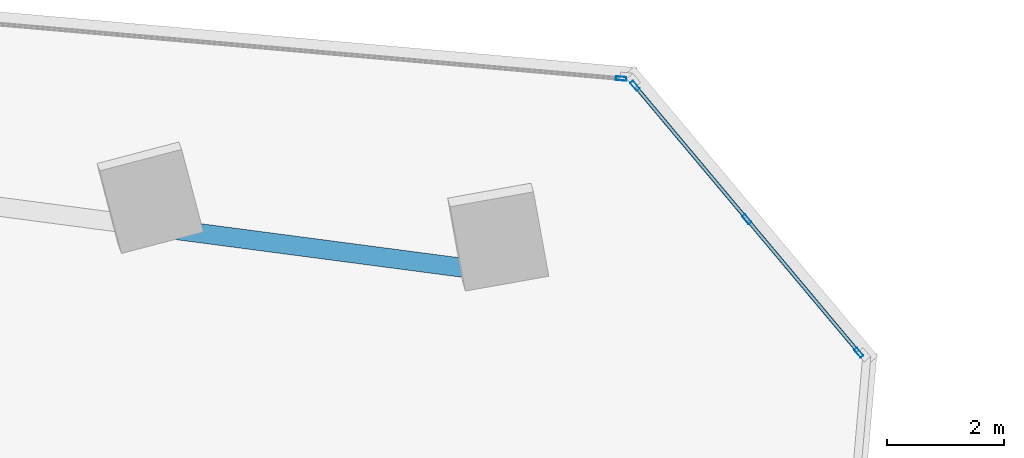
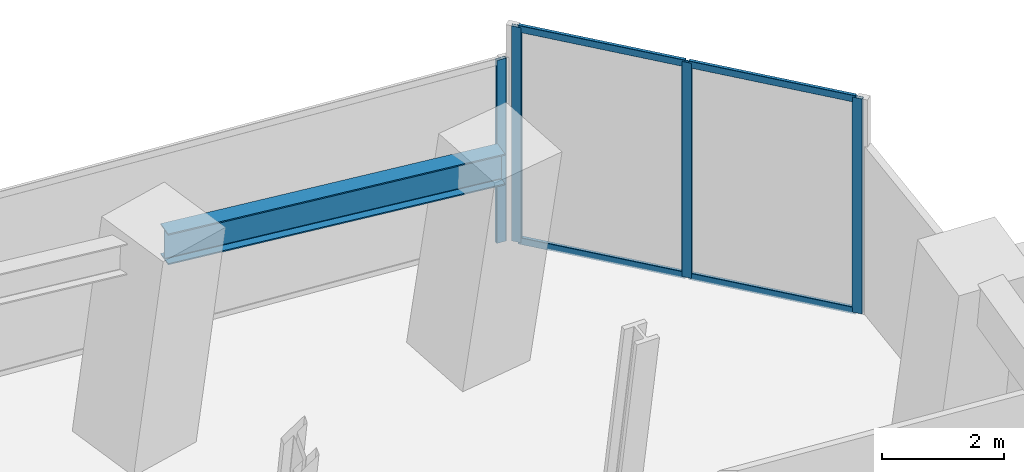
# One storey, part 13 of 23: 8 members, 1 beam, 2 elements without a shape of their own.
"""IFC4 building model written with IfcOpenShell, lengths in metres."""

import ifcopenshell
import ifcopenshell.guid

model = None  # the IFC model being written
_history = None  # IfcOwnerHistory: only IFC2X3 demands one
_inside = {}  # id of a spatial element -> (the spatial element, [elements in it])
_under = {}  # id of a project, library or spatial element -> (it, [spatial elements below it])
_declared = {}  # id of a project -> (the project, [libraries it declares])
_typed = {}  # id of a type object -> (the type object, [elements of that type])
_made_of = {}  # id of a material, layer set ... -> (it, [elements and type objects made of it])


def new_model(schema):
    """Start an empty IFC model of exactly this schema.

    Asked for "IFC4X3", IfcOpenShell would pick the latest addendum, in which some entities
    have other attributes; the version numbers below select the first issue.
    IFC2X3 requires an IfcOwnerHistory on every rooted entity: one is made here for all.
    """
    global model, _history
    if schema == "IFC4X3":
        model = ifcopenshell.file(schema_version=(4, 3, 0, 0))
    else:
        model = ifcopenshell.file(schema=schema)
    _inside.clear()
    _under.clear()
    _declared.clear()
    _typed.clear()
    _made_of.clear()
    _history = None
    if model.schema == "IFC2X3":
        org = make("IfcOrganization", Name="unknown")
        user = make(
            "IfcPersonAndOrganization",
            ThePerson=make("IfcPerson", FamilyName="unknown"),
            TheOrganization=org,
        )
        app = make(
            "IfcApplication",
            ApplicationDeveloper=org,
            Version="unknown",
            ApplicationFullName="unknown",
            ApplicationIdentifier="unknown",
        )
        _history = make(
            "IfcOwnerHistory",
            OwningUser=user,
            OwningApplication=app,
            ChangeAction="ADDED",
            CreationDate=0,
        )
    return model


def make(cls, **values):
    """One entity of the class cls with the attributes given. An attribute that is None is left unset."""
    return model.create_entity(
        cls, **{name: value for name, value in values.items() if value is not None}
    )


def rooted(cls, **values):
    """An entity with a GlobalId (a new one), such as an element, a storey or a relation."""
    return make(cls, GlobalId=ifcopenshell.guid.new(), OwnerHistory=_history, **values)


def si_unit(unit_type, name, prefix=None):
    """IfcSIUnit, for example si_unit("LENGTHUNIT", "METRE", prefix="MILLI")."""
    return make("IfcSIUnit", UnitType=unit_type, Prefix=prefix, Name=name)


def assignment(units):
    """IfcUnitAssignment: the units of a project."""
    return None if units is None else make("IfcUnitAssignment", Units=units)


def point(xyz):
    """IfcCartesianPoint."""
    return None if xyz is None else make("IfcCartesianPoint", Coordinates=xyz)


def direction(xyz):
    """IfcDirection."""
    return None if xyz is None else make("IfcDirection", DirectionRatios=xyz)


def frame(location, z_axis=None, x_axis=None):
    """IfcAxis2Placement3D, a coordinate frame: its origin and axes. An axis left out is left unset."""
    return make(
        "IfcAxis2Placement3D",
        Location=point(location),
        Axis=direction(z_axis),
        RefDirection=direction(x_axis),
    )


def frame_2d(location, x_axis=None):
    """IfcAxis2Placement2D, a coordinate frame in the plane: its origin and x axis."""
    return make(
        "IfcAxis2Placement2D", Location=point(location), RefDirection=direction(x_axis)
    )


def origin():
    """The frame at (0, 0, 0) with its axes left unset."""
    return frame((0.0, 0.0, 0.0))


def origin_2d():
    """The frame at (0, 0) in the plane with its x axis left unset."""
    return frame_2d((0.0, 0.0))


def place(relative_to, where):
    """IfcLocalPlacement: puts the frame where relative to a parent placement (None: the world)."""
    return make(
        "IfcLocalPlacement", PlacementRelTo=relative_to, RelativePlacement=where
    )


def context(
    kind, dimensions, precision=None, world=None, true_north=None, identifier=None
):
    """IfcGeometricRepresentationContext, for example the 3D "Model" context."""
    return make(
        "IfcGeometricRepresentationContext",
        ContextIdentifier=identifier,
        ContextType=kind,
        CoordinateSpaceDimension=dimensions,
        Precision=precision,
        WorldCoordinateSystem=world,
        TrueNorth=true_north,
    )


def subcontext(parent, identifier, kind, view, scale=None):
    """IfcGeometricRepresentationSubContext, for example "Body" below "Model"."""
    return make(
        "IfcGeometricRepresentationSubContext",
        ContextIdentifier=identifier,
        ContextType=kind,
        ParentContext=parent,
        TargetScale=scale,
        TargetView=view,
    )


def project(units=None, contexts=None):
    """IfcProject with its units and contexts."""
    return rooted(
        "IfcProject",
        Name="project",
        RepresentationContexts=contexts,
        UnitsInContext=assignment(units),
    )


def spatial(cls, under=None, at=None, **own):
    """A site, building, storey or space (cls), placed at a placement, below another one or the project."""
    s = rooted(cls, ObjectPlacement=at, **own)
    if under is not None:
        _under.setdefault(under.id(), (under, []))[1].append(s)
    return s


def profile(cls, at=None, kind="AREA", **sizes):
    """A parametric profile (cls). Its sizes go by their IFC names, for example OverallWidth=200.0."""
    return make(cls, ProfileType=kind, Position=at, **sizes)


def hollow_rectangle(**sizes):
    """IfcRectangleHollowProfileDef."""
    return profile("IfcRectangleHollowProfileDef", **sizes)


def i_section(**sizes):
    """IfcIShapeProfileDef."""
    return profile("IfcIShapeProfileDef", **sizes)


def extrude(swept, where, along, depth):
    """IfcExtrudedAreaSolid: the profile swept, set in the frame where, extruded along a direction by depth."""
    return make(
        "IfcExtrudedAreaSolid",
        SweptArea=swept,
        Position=where,
        ExtrudedDirection=direction(along),
        Depth=depth,
    )


def shape(context_of_items, identifier, shape_type, items):
    """IfcShapeRepresentation: the items that make up one representation, for example the "Body"."""
    return make(
        "IfcShapeRepresentation",
        ContextOfItems=context_of_items,
        RepresentationIdentifier=identifier,
        RepresentationType=shape_type,
        Items=items,
    )


def source(mapping_origin, context_of_items, identifier, shape_type, items):
    """IfcRepresentationMap: a shape defined once, which mapped items show again and again."""
    return make(
        "IfcRepresentationMap",
        MappingOrigin=mapping_origin,
        MappedRepresentation=shape(context_of_items, identifier, shape_type, items),
    )


def transform(
    local_origin,
    x_axis=None,
    y_axis=None,
    z_axis=None,
    scale=None,
    scale2=None,
    scale3=None,
    uniform=True,
):
    """IfcCartesianTransformationOperator3D, or its non-uniform kind. x_axis, y_axis, z_axis: its Axis1, 2, 3."""
    if uniform:
        return make(
            "IfcCartesianTransformationOperator3D",
            Axis1=direction(x_axis),
            Axis2=direction(y_axis),
            LocalOrigin=point(local_origin),
            Scale=scale,
            Axis3=direction(z_axis),
        )
    return make(
        "IfcCartesianTransformationOperator3DnonUniform",
        Axis1=direction(x_axis),
        Axis2=direction(y_axis),
        LocalOrigin=point(local_origin),
        Scale=scale,
        Axis3=direction(z_axis),
        Scale2=scale2,
        Scale3=scale3,
    )


def mapped(mapping_source, mapping_target):
    """IfcMappedItem: shows the shape of a source again, moved by a transform."""
    return make(
        "IfcMappedItem", MappingSource=mapping_source, MappingTarget=mapping_target
    )


def material(Name=None, Category=None):
    """IfcMaterial."""
    return make("IfcMaterial", Name=Name, Category=Category)


def material_profile(
    of_material, cross_section, Name=None, Category=None, Priority=None
):
    """IfcMaterialProfile: a cross section and its material."""
    return make(
        "IfcMaterialProfile",
        Name=Name,
        Material=of_material,
        Profile=cross_section,
        Priority=Priority,
        Category=Category,
    )


def profile_set(profiles, Name=None, composite=None):
    """IfcMaterialProfileSet."""
    return make(
        "IfcMaterialProfileSet",
        Name=Name,
        MaterialProfiles=profiles,
        CompositeProfile=composite,
    )


def made_of(thing, what):
    """Note that an element or type object is made of a material, layer set ...; save() writes the relation."""
    if what is not None:
        _made_of.setdefault(what.id(), (what, []))[1].append(thing)
    return thing


def type_object(cls, material=None, **own):
    """A type object (cls), such as IfcWallType, which elements share."""
    return made_of(rooted(cls, **own), material)


def element(
    cls,
    number,
    at=None,
    inside=None,
    cuts=None,
    type_object=None,
    material=None,
    context=None,
    identifier="Body",
    shape_type=None,
    held_by="IfcProductDefinitionShape",
    body=None,
    shapes=None,
    **own,
):
    """One element of the class cls, such as IfcWall. Its Tag is "e" and its number.

    at: its placement. inside: the storey or other place that contains it. cuts: it is an
    opening in that element (IfcRelVoidsElement). A single representation is given by context,
    identifier, shape_type and body (its items); several are given by shapes. held_by: the class
    of the entity that holds the representations. save() writes the other relations.
    """
    e = rooted(cls, Tag="e%d" % number, ObjectPlacement=at, **own)
    if body is not None:
        shapes = [shape(context, identifier, shape_type, body)]
    if shapes is not None:
        e.Representation = make(held_by, Representations=shapes)
    if inside is not None:
        _inside.setdefault(inside.id(), (inside, []))[1].append(e)
    if cuts is not None:
        rooted(
            "IfcRelVoidsElement", RelatingBuildingElement=cuts, RelatedOpeningElement=e
        )
    if type_object is not None:
        _typed.setdefault(type_object.id(), (type_object, []))[1].append(e)
    return made_of(e, material)


def aggregate(whole, parts):
    """IfcRelAggregates: a whole, such as a stair, and the parts it consists of."""
    return rooted("IfcRelAggregates", RelatingObject=whole, RelatedObjects=parts)


def save(model, path):
    """Write the relations noted so far, then the file.

    IfcRelAggregates (storeys below a building ...), IfcRelContainedInSpatialStructure (elements
    in a storey), IfcRelDefinesByType, IfcRelAssociatesMaterial and IfcRelDeclares: one each for
    every whole, place, type object, material and project.
    """
    for whole, parts in _under.values():
        aggregate(whole, parts)
    for where, things in _inside.values():
        rooted(
            "IfcRelContainedInSpatialStructure",
            RelatedElements=things,
            RelatingStructure=where,
        )
    for kind, things in _typed.values():
        rooted("IfcRelDefinesByType", RelatedObjects=things, RelatingType=kind)
    for what, things in _made_of.values():
        rooted("IfcRelAssociatesMaterial", RelatedObjects=things, RelatingMaterial=what)
    for by, libraries in _declared.values():
        rooted("IfcRelDeclares", RelatingContext=by, RelatedDefinitions=libraries)
    model.write(path)


model = new_model("IFC4")

# Units and contexts
model_context = context("Model", 3, precision=1e-05, world=origin(), true_north=direction((0.0, 1.0)))
body_context = subcontext(model_context, "Body", "Model", "MODEL_VIEW")
ifc_project = project(units=[si_unit("LENGTHUNIT", "METRE"), si_unit("AREAUNIT", "SQUARE_METRE"), si_unit("VOLUMEUNIT", "CUBIC_METRE"), si_unit("PLANEANGLEUNIT", "RADIAN"), si_unit("MASSUNIT", "GRAM", prefix="KILO")], contexts=[model_context])

# Site, building, storey
site_placement = place(None, origin())
site = spatial("IfcSite", under=ifc_project, at=site_placement, CompositionType="ELEMENT")
building_placement = place(site_placement, origin())
building = spatial("IfcBuilding", under=site, at=building_placement, Name="Torre Montelarca", CompositionType="ELEMENT")
storey_placement = place(building_placement, frame((0.0, 0.0, 56.800048828125)))
storey = spatial("IfcBuildingStorey", under=building, at=storey_placement, Name="L12", CompositionType="ELEMENT", Elevation=56.800048828125)

# Beam
ifc_material_1 = material(Name="Steel ASTM A992 Grade 50", Category="steel")
ifc_material_profile_1 = material_profile(ifc_material_1, i_section(OverallWidth=0.326904296875, OverallDepth=0.6220703125, WebThickness=0.015380859375, FlangeThickness=0.0244140625, FilletRadius=0.014892578125, at=origin_2d()), Name="W610X195", Category="steel")
ifc_profile_set_1 = profile_set([ifc_material_profile_1], Name="Steel ASTM A992 Grade 50")
beam_type = type_object("IfcBeamType", Name="BM-G-W610H", PredefinedType="BEAM", material=ifc_profile_set_1)
shared_shape_1 = source(origin(), body_context, "Body", "SweptSolid", [
    extrude(i_section(OverallWidth=0.326904296875, OverallDepth=0.6220703125, WebThickness=0.015380859375, FlangeThickness=0.0244140625, FilletRadius=0.014892578125, at=origin_2d()), origin(), (0.0, 0.0, 1.0), 6.0),
])
beam_placement = place(storey_placement, frame((49.6005859375, 42.42138671875, 4.2490234375), z_axis=(0.991444043898, -0.130532401413, 0.0), x_axis=(0.130532401413, 0.991444043898, 0.0)))
element("IfcBeam", 1, at=beam_placement, inside=storey, type_object=beam_type, Name="L12 Grid Girder X 48.0-54.0 at Y=46.0", PredefinedType="BEAM", context=body_context, shape_type="MappedRepresentation", body=[
    mapped(shared_shape_1, transform((0.0, 0.0, 0.0), scale=1.0)),
])

# Curtain wall, members
ifc_material_2 = material(Name="Insulated low-E laminated glass", Category="glass")
curtain_wall_type = type_object("IfcCurtainWallType", Name="CW-SYS-Z1", PredefinedType="USERDEFINED", material=ifc_material_2)
curtain_wall_1_placement = place(storey_placement, origin())
curtain_wall_1 = element("IfcCurtainWall", 2, at=curtain_wall_1_placement, inside=storey, type_object=curtain_wall_type, Name="L12 Curtain Wall Run CW-T3-L12-E07-B1", ObjectType="UNITISED GLAZING", PredefinedType="USERDEFINED")
ifc_material_3 = material(Name="Anodised aluminium AA 6063-T6", Category="aluminium")
ifc_material_profile_2 = material_profile(ifc_material_3, hollow_rectangle(XDim=0.06494140625, YDim=0.179931640625, WallThickness=0.00390625, InnerFilletRadius=0.00390625, OuterFilletRadius=0.008056640625, at=origin_2d()), Name="ALU65X180X4", Category="aluminium")
ifc_profile_set_2 = profile_set([ifc_material_profile_2], Name="Anodised aluminium AA 6063-T6")
member_type_1 = type_object("IfcMemberType", Name="CWM-ALU180", PredefinedType="MULLION", material=ifc_profile_set_2)
shared_shape_2 = source(origin(), body_context, "Body", "SweptSolid", [
    extrude(hollow_rectangle(XDim=0.06494140625, YDim=0.179931640625, WallThickness=0.00390625, InnerFilletRadius=0.00390625, OuterFilletRadius=0.008056640625, at=origin_2d()), origin(), (0.0, 0.0, 1.0), 4.320068359375),
])
member_1_placement = place(storey_placement, frame((61.542724609375, 40.289794921875, 0.0), z_axis=(0.0, 0.0, 1.0), x_axis=(-0.766042761233, -0.642789614074, 0.0)))
member_1 = element("IfcMember", 3, at=member_1_placement, type_object=member_type_1, Name="CW mullion 1", PredefinedType="MULLION", context=body_context, shape_type="MappedRepresentation", body=[
    mapped(shared_shape_2, transform((0.0, 0.0, 0.0), scale=1.0)),
])
member_2_placement = place(storey_placement, frame((59.624755859375, 42.575439453125, 0.0), z_axis=(0.0, 0.0, 1.0), x_axis=(-0.766042761233, -0.642789614074, 0.0)))
member_2 = element("IfcMember", 4, at=member_2_placement, type_object=member_type_1, Name="CW mullion 2", PredefinedType="MULLION", context=body_context, shape_type="MappedRepresentation", body=[
    mapped(shared_shape_2, transform((0.0, 0.0, 0.0), scale=1.0)),
])
member_3_placement = place(storey_placement, frame((57.70703125, 44.861083984375, 0.0), z_axis=(0.0, 0.0, 1.0), x_axis=(-0.766042761233, -0.642789614074, 0.0)))
member_3 = element("IfcMember", 5, at=member_3_placement, type_object=member_type_1, Name="CW mullion 3", PredefinedType="MULLION", context=body_context, shape_type="MappedRepresentation", body=[
    mapped(shared_shape_2, transform((0.0, 0.0, 0.0), scale=1.0)),
])
ifc_material_profile_3 = material_profile(ifc_material_3, hollow_rectangle(XDim=0.06494140625, YDim=0.139892578125, WallThickness=0.00390625, InnerFilletRadius=0.00390625, OuterFilletRadius=0.008056640625, at=origin_2d()), Name="ALU65X140X4", Category="aluminium")
ifc_profile_set_3 = profile_set([ifc_material_profile_3], Name="Anodised aluminium AA 6063-T6")
member_type_2 = type_object("IfcMemberType", Name="CWT-ALU140", PredefinedType="USERDEFINED", material=ifc_profile_set_3)
shared_shape_3 = source(origin(), body_context, "Body", "SweptSolid", [
    extrude(hollow_rectangle(XDim=0.06494140625, YDim=0.139892578125, WallThickness=0.00390625, InnerFilletRadius=0.00390625, OuterFilletRadius=0.008056640625, at=origin_2d()), origin(), (0.0, 0.0, 1.0), 2.918701171875),
])
member_4_placement = place(storey_placement, frame((61.521728515625, 40.314697265625, 0.032470703125), z_axis=(-0.642764321107, 0.766063983954, 0.0), x_axis=(-0.766063983954, -0.642764321107, 0.0)))
member_4 = element("IfcMember", 6, at=member_4_placement, type_object=member_type_2, Name="CW transom 1.1", ObjectType="TRANSOM", PredefinedType="USERDEFINED", context=body_context, shape_type="MappedRepresentation", body=[
    mapped(shared_shape_3, transform((0.0, 0.0, 0.0), scale=1.0)),
])
member_5_placement = place(storey_placement, frame((61.521728515625, 40.314697265625, 4.287353515625), z_axis=(-0.642764321107, 0.766063983954, 0.0), x_axis=(-0.766063983954, -0.642764321107, 0.0)))
member_5 = element("IfcMember", 7, at=member_5_placement, type_object=member_type_2, Name="CW transom 1.2", ObjectType="TRANSOM", PredefinedType="USERDEFINED", context=body_context, shape_type="MappedRepresentation", body=[
    mapped(shared_shape_3, transform((0.0, 0.0, 0.0), scale=1.0)),
])
member_6_placement = place(storey_placement, frame((59.60400390625, 42.600341796875, 0.032470703125), z_axis=(-0.642813407314, 0.766022795599, 0.0), x_axis=(-0.766022795599, -0.642813407314, 0.0)))
member_6 = element("IfcMember", 8, at=member_6_placement, type_object=member_type_2, Name="CW transom 2.1", ObjectType="TRANSOM", PredefinedType="USERDEFINED", context=body_context, shape_type="MappedRepresentation", body=[
    mapped(shared_shape_3, transform((0.0, 0.0, 0.0), scale=1.0)),
])
member_7_placement = place(storey_placement, frame((59.60400390625, 42.600341796875, 4.287353515625), z_axis=(-0.642813407314, 0.766022795599, 0.0), x_axis=(-0.766022795599, -0.642813407314, 0.0)))
member_7 = element("IfcMember", 9, at=member_7_placement, type_object=member_type_2, Name="CW transom 2.2", ObjectType="TRANSOM", PredefinedType="USERDEFINED", context=body_context, shape_type="MappedRepresentation", body=[
    mapped(shared_shape_3, transform((0.0, 0.0, 0.0), scale=1.0)),
])
aggregate(curtain_wall_1, [member_1, member_2, member_3, member_4, member_5, member_6, member_7])

# Curtain wall, member
curtain_wall_2_placement = place(storey_placement, origin())
curtain_wall_2 = element("IfcCurtainWall", 10, at=curtain_wall_2_placement, inside=storey, type_object=curtain_wall_type, Name="L12 Curtain Wall Run CW-T3-L12-E08-B1", ObjectType="UNITISED GLAZING", PredefinedType="USERDEFINED")
shared_shape_4 = source(origin(), body_context, "Body", "SweptSolid", [
    extrude(hollow_rectangle(XDim=0.06494140625, YDim=0.179931640625, WallThickness=0.00390625, InnerFilletRadius=0.00390625, OuterFilletRadius=0.008056640625, at=origin_2d()), origin(), (0.0, 0.0, 1.0), 3.675048828125),
])
member_8_placement = place(storey_placement, frame((57.47021484375, 44.984375, 0.0), z_axis=(0.0, 0.0, 1.0), x_axis=(-0.087157839083, -0.996194514684, 0.0)))
member_8 = element("IfcMember", 11, at=member_8_placement, type_object=member_type_1, Name="CW mullion 1", PredefinedType="MULLION", context=body_context, shape_type="MappedRepresentation", body=[
    mapped(shared_shape_4, transform((0.0, 0.0, 0.0), scale=1.0)),
])
aggregate(curtain_wall_2, [member_8])

save(model, "model.ifc")
